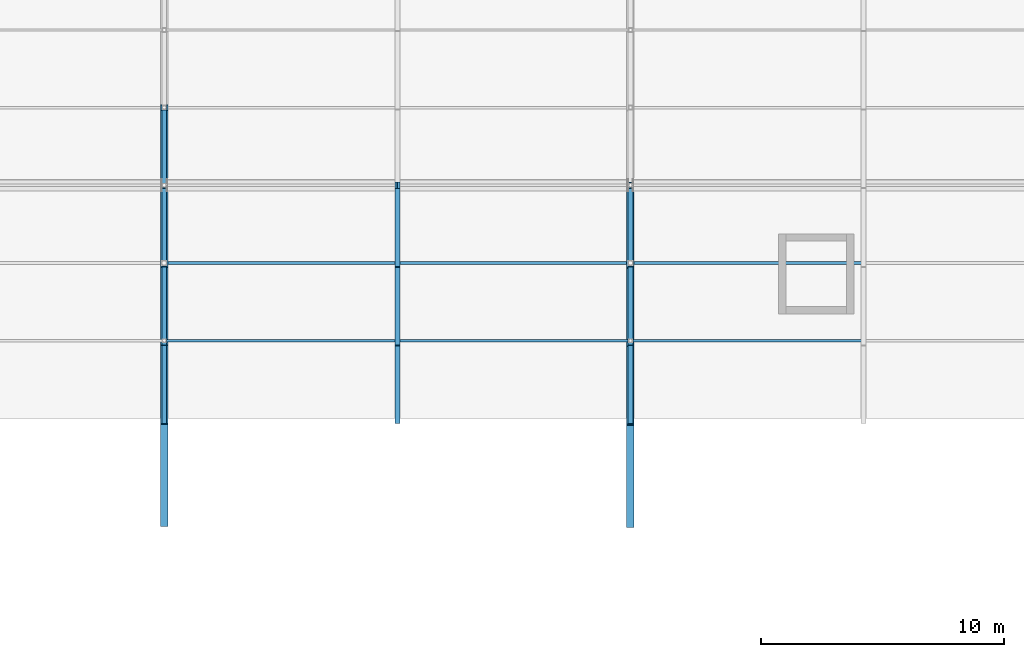
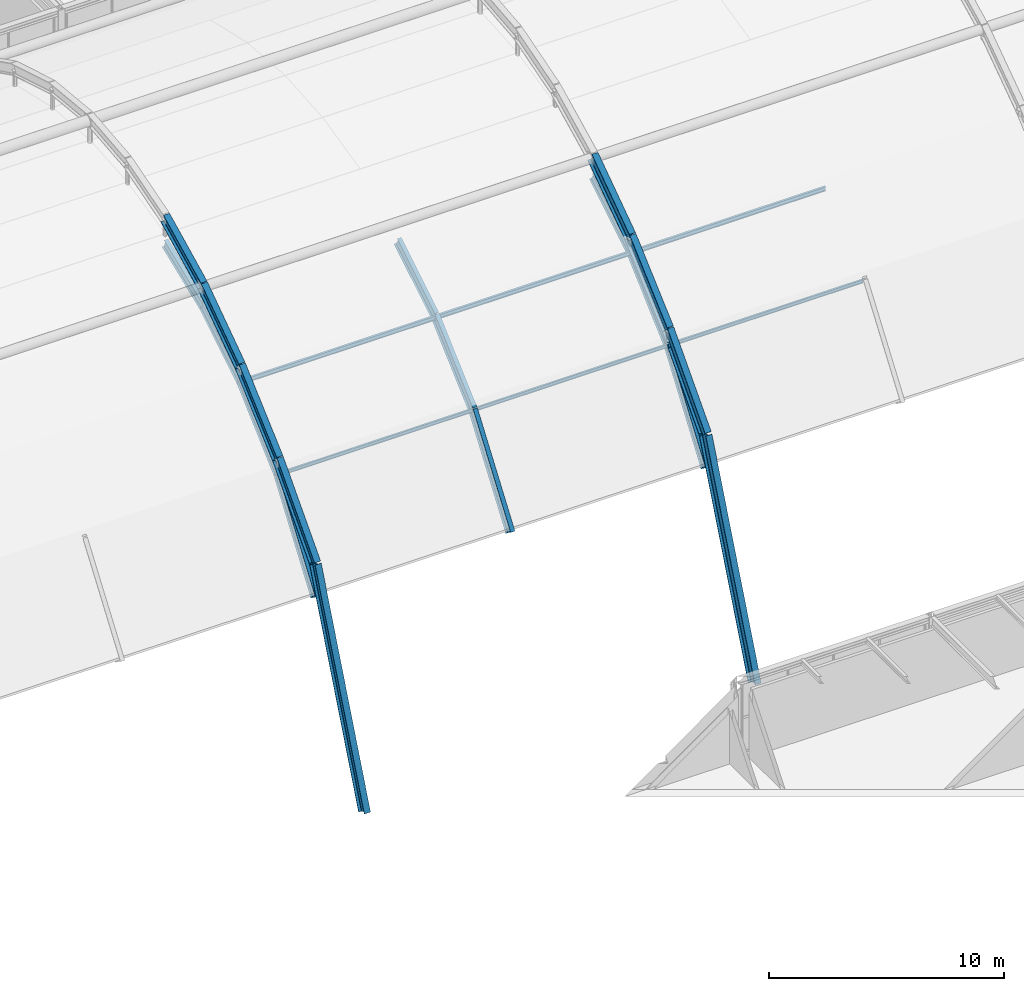
# One storey, part 55 of 126: 19 beams, 6 members.
"""IFC4 building model written with IfcOpenShell, lengths in metres."""

from ifc_helpers import new_model, si_unit, direction, frame, origin, origin_2d, place, context, subcontext, project, spatial, i_section, extrude, material, material_profile, profile_set, type_object, element, save


model = new_model("IFC4")

# Units and contexts
model_context = context("Model", 3, precision=1e-05, world=origin(), true_north=direction((0.0, 1.0)))
body_context = subcontext(model_context, "Body", "Model", "MODEL_VIEW")
ifc_project = project(units=[si_unit("LENGTHUNIT", "METRE"), si_unit("AREAUNIT", "SQUARE_METRE"), si_unit("VOLUMEUNIT", "CUBIC_METRE"), si_unit("PLANEANGLEUNIT", "RADIAN"), si_unit("MASSUNIT", "GRAM", prefix="KILO")], contexts=[model_context])

# Site, building, storey
site_placement = place(None, origin())
site = spatial("IfcSite", under=ifc_project, at=site_placement, CompositionType="ELEMENT")
building_placement = place(site_placement, origin())
building = spatial("IfcBuilding", under=site, at=building_placement, Name="Coralgate Yard Interchange", CompositionType="ELEMENT")
storey_placement = place(building_placement, frame((0.0, 0.0, 10.5)))
storey = spatial("IfcBuildingStorey", under=building, at=storey_placement, Name="L02", CompositionType="ELEMENT", Elevation=10.5)

# Beams
ifc_material_1 = material(Name="Yellow-ochre weather-coated structural steel S355J2", Category="steel")
ifc_material_profile_1 = material_profile(ifc_material_1, i_section(OverallWidth=0.300048828125, OverallDepth=0.64990234375, WebThickness=0.01611328125, FlangeThickness=0.031005859375, FilletRadius=0.027099609375, at=origin_2d()), Name="HEB 650")
ifc_profile_set_1 = profile_set([ifc_material_profile_1], Name="Yellow-ochre weather-coated structural steel S355J2")
beam_type_1 = type_object("IfcBeamType", Name="BM-AR-1", PredefinedType="BEAM", material=ifc_profile_set_1)
beam_1_placement = place(storey_placement, frame((86.39990234375, 34.199951171875, -8.699951171875), z_axis=(0.0, 0.374462329793, 0.927242127799), x_axis=(-1.0, 0.0, 0.0)))
element("IfcBeam", 1, at=beam_1_placement, inside=storey, type_object=beam_type_1, Name="Yellow-ochre overarching steel arch AR-3 chord 1", PredefinedType="BEAM", context=body_context, shape_type="SweptSolid", body=[
    extrude(i_section(OverallWidth=0.300048828125, OverallDepth=0.64990234375, WebThickness=0.01611328125, FlangeThickness=0.031005859375, FilletRadius=0.027099609375, at=origin_2d()), origin(), (0.0, 0.0, 1.0), 11.216064453125),
])
beam_2_placement = place(storey_placement, frame((86.39990234375, 38.39990234375, 1.699951171875), z_axis=(0.0, 0.673332175911, 0.739340098252), x_axis=(-1.0, 0.0, 0.0)))
element("IfcBeam", 2, at=beam_2_placement, inside=storey, type_object=beam_type_1, Name="Yellow-ochre overarching steel arch AR-3 chord 2", PredefinedType="BEAM", context=body_context, shape_type="SweptSolid", body=[
    extrude(i_section(OverallWidth=0.300048828125, OverallDepth=0.64990234375, WebThickness=0.01611328125, FlangeThickness=0.031005859375, FilletRadius=0.027099609375, at=origin_2d()), origin(), (0.0, 0.0, 1.0), 4.752685546875),
])
beam_3_placement = place(storey_placement, frame((86.39990234375, 41.60009765625, 5.2138671875), z_axis=(0.0, 0.74386673808, 0.668327970369), x_axis=(-1.0, 0.0, 0.0)))
element("IfcBeam", 3, at=beam_3_placement, inside=storey, type_object=beam_type_1, Name="Yellow-ochre overarching steel arch AR-3 chord 3", PredefinedType="BEAM", context=body_context, shape_type="SweptSolid", body=[
    extrude(i_section(OverallWidth=0.300048828125, OverallDepth=0.64990234375, WebThickness=0.01611328125, FlangeThickness=0.031005859375, FilletRadius=0.027099609375, at=origin_2d()), origin(), (0.0, 0.0, 1.0), 4.3017578125),
])
beam_4_placement = place(storey_placement, frame((86.39990234375, 44.800048828125, 8.0888671875), z_axis=(0.0, 0.819698802508, 0.572794791498), x_axis=(-1.0, 0.0, 0.0)))
element("IfcBeam", 4, at=beam_4_placement, inside=storey, type_object=beam_type_1, Name="Yellow-ochre overarching steel arch AR-3 chord 4", PredefinedType="BEAM", context=body_context, shape_type="SweptSolid", body=[
    extrude(i_section(OverallWidth=0.300048828125, OverallDepth=0.64990234375, WebThickness=0.01611328125, FlangeThickness=0.031005859375, FilletRadius=0.027099609375, at=origin_2d()), origin(), (0.0, 0.0, 1.0), 3.90380859375),
])
ifc_material_profile_2 = material_profile(ifc_material_1, i_section(OverallWidth=0.300048828125, OverallDepth=0.550048828125, WebThickness=0.014892578125, FlangeThickness=0.029052734375, FilletRadius=0.027099609375, at=origin_2d()), Name="HEB 550")
ifc_profile_set_2 = profile_set([ifc_material_profile_2], Name="Yellow-ochre weather-coated structural steel S355J2")
beam_type_2 = type_object("IfcBeamType", Name="BM-AR-2", PredefinedType="BEAM", material=ifc_profile_set_2)
beam_5_placement = place(storey_placement, frame((67.199951171875, 34.199951171875, -8.699951171875), z_axis=(0.0, 0.374462329793, 0.927242127799), x_axis=(-1.0, 0.0, 0.0)))
element("IfcBeam", 5, at=beam_5_placement, inside=storey, type_object=beam_type_2, Name="Yellow-ochre overarching steel arch AR-2 chord 1", PredefinedType="BEAM", context=body_context, shape_type="SweptSolid", body=[
    extrude(i_section(OverallWidth=0.300048828125, OverallDepth=0.550048828125, WebThickness=0.014892578125, FlangeThickness=0.029052734375, FilletRadius=0.027099609375, at=origin_2d()), origin(), (0.0, 0.0, 1.0), 11.216064453125),
])
beam_6_placement = place(storey_placement, frame((67.199951171875, 38.39990234375, 1.699951171875), z_axis=(0.0, 0.673332175911, 0.739340098252), x_axis=(-1.0, 0.0, 0.0)))
element("IfcBeam", 6, at=beam_6_placement, inside=storey, type_object=beam_type_2, Name="Yellow-ochre overarching steel arch AR-2 chord 2", PredefinedType="BEAM", context=body_context, shape_type="SweptSolid", body=[
    extrude(i_section(OverallWidth=0.300048828125, OverallDepth=0.550048828125, WebThickness=0.014892578125, FlangeThickness=0.029052734375, FilletRadius=0.027099609375, at=origin_2d()), origin(), (0.0, 0.0, 1.0), 4.752685546875),
])
beam_7_placement = place(storey_placement, frame((67.199951171875, 41.60009765625, 5.2138671875), z_axis=(0.0, 0.74386673808, 0.668327970369), x_axis=(-1.0, 0.0, 0.0)))
element("IfcBeam", 7, at=beam_7_placement, inside=storey, type_object=beam_type_2, Name="Yellow-ochre overarching steel arch AR-2 chord 3", PredefinedType="BEAM", context=body_context, shape_type="SweptSolid", body=[
    extrude(i_section(OverallWidth=0.300048828125, OverallDepth=0.550048828125, WebThickness=0.014892578125, FlangeThickness=0.029052734375, FilletRadius=0.027099609375, at=origin_2d()), origin(), (0.0, 0.0, 1.0), 4.3017578125),
])
beam_8_placement = place(storey_placement, frame((67.199951171875, 44.800048828125, 8.0888671875), z_axis=(0.0, 0.819698802508, 0.572794791498), x_axis=(-1.0, 0.0, 0.0)))
element("IfcBeam", 8, at=beam_8_placement, inside=storey, type_object=beam_type_2, Name="Yellow-ochre overarching steel arch AR-2 chord 4", PredefinedType="BEAM", context=body_context, shape_type="SweptSolid", body=[
    extrude(i_section(OverallWidth=0.300048828125, OverallDepth=0.550048828125, WebThickness=0.014892578125, FlangeThickness=0.029052734375, FilletRadius=0.027099609375, at=origin_2d()), origin(), (0.0, 0.0, 1.0), 3.90380859375),
])
beam_9_placement = place(storey_placement, frame((67.199951171875, 48.0, 10.324951171875), z_axis=(0.0, 0.894740986573, 0.446585453129), x_axis=(-1.0, 0.0, 0.0)))
element("IfcBeam", 9, at=beam_9_placement, inside=storey, type_object=beam_type_2, Name="Yellow-ochre overarching steel arch AR-2 chord 5", PredefinedType="BEAM", context=body_context, shape_type="SweptSolid", body=[
    extrude(i_section(OverallWidth=0.300048828125, OverallDepth=0.550048828125, WebThickness=0.014892578125, FlangeThickness=0.029052734375, FilletRadius=0.027099609375, at=origin_2d()), origin(), (0.0, 0.0, 1.0), 3.576416015625),
])
ifc_material_2 = material(Name="Weather-coated structural steel S355J2", Category="steel")
ifc_material_profile_3 = material_profile(ifc_material_2, i_section(OverallWidth=0.209228515625, OverallDepth=0.533203125, WebThickness=0.010009765625, FlangeThickness=0.015625, FilletRadius=0.0126953125, at=origin_2d()), Name="UB 533x210x92")
ifc_profile_set_3 = profile_set([ifc_material_profile_3], Name="Weather-coated structural steel S355J2")
beam_type_3 = type_object("IfcBeamType", Name="BM-VR-1", PredefinedType="BEAM", material=ifc_profile_set_3)
beam_10_placement = place(storey_placement, frame((76.800048828125, 38.39990234375, -0.053466796875), z_axis=(0.0, 0.58185107692, 0.813295348743), x_axis=(-1.0, 0.0, 0.0)))
element("IfcBeam", 10, at=beam_10_placement, inside=storey, type_object=beam_type_3, Name="Barrel-vault gridshell rib 5 seg 1", PredefinedType="BEAM", context=body_context, shape_type="SweptSolid", body=[
    extrude(i_section(OverallWidth=0.209228515625, OverallDepth=0.533203125, WebThickness=0.010009765625, FlangeThickness=0.015625, FilletRadius=0.0126953125, at=origin_2d()), origin(), (0.0, 0.0, 1.0), 5.5),
])
beam_11_placement = place(storey_placement, frame((76.800048828125, 41.60009765625, 4.419677734375), z_axis=(0.0, 0.739475275209, 0.673183717387), x_axis=(-1.0, 0.0, 0.0)))
element("IfcBeam", 11, at=beam_11_placement, inside=storey, type_object=beam_type_3, Name="Barrel-vault gridshell rib 5 seg 2", PredefinedType="BEAM", context=body_context, shape_type="SweptSolid", body=[
    extrude(i_section(OverallWidth=0.209228515625, OverallDepth=0.533203125, WebThickness=0.010009765625, FlangeThickness=0.015625, FilletRadius=0.0126953125, at=origin_2d()), origin(), (0.0, 0.0, 1.0), 4.327392578125),
])
beam_12_placement = place(storey_placement, frame((76.800048828125, 44.800048828125, 7.332763671875), z_axis=(0.0, 0.852378727212, 0.522924951973), x_axis=(-1.0, 0.0, 0.0)))
element("IfcBeam", 12, at=beam_12_placement, inside=storey, type_object=beam_type_3, Name="Barrel-vault gridshell rib 5 seg 3", PredefinedType="BEAM", context=body_context, shape_type="SweptSolid", body=[
    extrude(i_section(OverallWidth=0.209228515625, OverallDepth=0.533203125, WebThickness=0.010009765625, FlangeThickness=0.015625, FilletRadius=0.0126953125, at=origin_2d()), origin(), (0.0, 0.0, 1.0), 3.754150390625),
])
ifc_material_profile_4 = material_profile(ifc_material_2, i_section(OverallWidth=0.199951171875, OverallDepth=0.5, WebThickness=0.01025390625, FlangeThickness=0.01611328125, FilletRadius=0.02099609375, at=origin_2d()), Name="IPE 500")
ifc_profile_set_4 = profile_set([ifc_material_profile_4], Name="Weather-coated structural steel S355J2")
beam_type_4 = type_object("IfcBeamType", Name="BM-VR-2", PredefinedType="BEAM", material=ifc_profile_set_4)
beam_13_placement = place(storey_placement, frame((67.199951171875, 38.39990234375, -0.070068359375), z_axis=(0.0, 0.579004732824, 0.815324180536), x_axis=(-1.0, 0.0, 0.0)))
element("IfcBeam", 13, at=beam_13_placement, inside=storey, type_object=beam_type_4, Name="Barrel-vault gridshell rib 4 seg 1", PredefinedType="BEAM", context=body_context, shape_type="SweptSolid", body=[
    extrude(i_section(OverallWidth=0.199951171875, OverallDepth=0.5, WebThickness=0.01025390625, FlangeThickness=0.01611328125, FilletRadius=0.02099609375, at=origin_2d()), origin(), (0.0, 0.0, 1.0), 5.527099609375),
])
beam_14_placement = place(storey_placement, frame((67.199951171875, 41.60009765625, 4.436279296875), z_axis=(0.0, 0.739475275209, 0.673183717387), x_axis=(-1.0, 0.0, 0.0)))
element("IfcBeam", 14, at=beam_14_placement, inside=storey, type_object=beam_type_4, Name="Barrel-vault gridshell rib 4 seg 2", PredefinedType="BEAM", context=body_context, shape_type="SweptSolid", body=[
    extrude(i_section(OverallWidth=0.199951171875, OverallDepth=0.5, WebThickness=0.01025390625, FlangeThickness=0.01611328125, FilletRadius=0.02099609375, at=origin_2d()), origin(), (0.0, 0.0, 1.0), 4.327392578125),
])
beam_15_placement = place(storey_placement, frame((67.199951171875, 44.800048828125, 7.349365234375), z_axis=(0.0, 0.852378727212, 0.522924951973), x_axis=(-1.0, 0.0, 0.0)))
element("IfcBeam", 15, at=beam_15_placement, inside=storey, type_object=beam_type_4, Name="Barrel-vault gridshell rib 4 seg 3", PredefinedType="BEAM", context=body_context, shape_type="SweptSolid", body=[
    extrude(i_section(OverallWidth=0.199951171875, OverallDepth=0.5, WebThickness=0.01025390625, FlangeThickness=0.01611328125, FilletRadius=0.02099609375, at=origin_2d()), origin(), (0.0, 0.0, 1.0), 3.754150390625),
])
beam_16_placement = place(storey_placement, frame((67.199951171875, 48.0, 9.3125), z_axis=(0.0, 0.927713244188, 0.373293633161), x_axis=(-1.0, 0.0, 0.0)))
element("IfcBeam", 16, at=beam_16_placement, inside=storey, type_object=beam_type_4, Name="Barrel-vault gridshell rib 4 seg 4", PredefinedType="BEAM", context=body_context, shape_type="SweptSolid", body=[
    extrude(i_section(OverallWidth=0.199951171875, OverallDepth=0.5, WebThickness=0.01025390625, FlangeThickness=0.01611328125, FilletRadius=0.02099609375, at=origin_2d()), origin(), (0.0, 0.0, 1.0), 3.44921875),
])
beam_17_placement = place(storey_placement, frame((86.39990234375, 38.39990234375, -0.070068359375), z_axis=(0.0, 0.579004732824, 0.815324180536), x_axis=(-1.0, 0.0, 0.0)))
element("IfcBeam", 17, at=beam_17_placement, inside=storey, type_object=beam_type_4, Name="Barrel-vault gridshell rib 6 seg 1", PredefinedType="BEAM", context=body_context, shape_type="SweptSolid", body=[
    extrude(i_section(OverallWidth=0.199951171875, OverallDepth=0.5, WebThickness=0.01025390625, FlangeThickness=0.01611328125, FilletRadius=0.02099609375, at=origin_2d()), origin(), (0.0, 0.0, 1.0), 5.527099609375),
])
beam_18_placement = place(storey_placement, frame((86.39990234375, 41.60009765625, 4.436279296875), z_axis=(0.0, 0.739475275209, 0.673183717387), x_axis=(-1.0, 0.0, 0.0)))
element("IfcBeam", 18, at=beam_18_placement, inside=storey, type_object=beam_type_4, Name="Barrel-vault gridshell rib 6 seg 2", PredefinedType="BEAM", context=body_context, shape_type="SweptSolid", body=[
    extrude(i_section(OverallWidth=0.199951171875, OverallDepth=0.5, WebThickness=0.01025390625, FlangeThickness=0.01611328125, FilletRadius=0.02099609375, at=origin_2d()), origin(), (0.0, 0.0, 1.0), 4.327392578125),
])
beam_19_placement = place(storey_placement, frame((86.39990234375, 44.800048828125, 7.349365234375), z_axis=(0.0, 0.852378727212, 0.522924951973), x_axis=(-1.0, 0.0, 0.0)))
element("IfcBeam", 19, at=beam_19_placement, inside=storey, type_object=beam_type_4, Name="Barrel-vault gridshell rib 6 seg 3", PredefinedType="BEAM", context=body_context, shape_type="SweptSolid", body=[
    extrude(i_section(OverallWidth=0.199951171875, OverallDepth=0.5, WebThickness=0.01025390625, FlangeThickness=0.01611328125, FilletRadius=0.02099609375, at=origin_2d()), origin(), (0.0, 0.0, 1.0), 3.754150390625),
])

# Members
ifc_material_profile_5 = material_profile(ifc_material_2, i_section(OverallWidth=0.110107421875, OverallDepth=0.219970703125, WebThickness=0.005859375, FlangeThickness=0.00927734375, FilletRadius=0.011962890625, at=origin_2d()), Name="IPE 220")
ifc_profile_set_5 = profile_set([ifc_material_profile_5], Name="Weather-coated structural steel S355J2")
member_type_1 = type_object("IfcMemberType", Name="MB-PR-1", PredefinedType="PURLIN", material=ifc_profile_set_5)
member_1_placement = place(storey_placement, frame((67.201904296875, 44.800048828125, 7.2392578125), z_axis=(1.0, 0.0, 0.0), x_axis=(0.0, 1.0, 0.0)))
element("IfcMember", 20, at=member_1_placement, inside=storey, type_object=member_type_1, Name="Barrel-vault gridshell purlin 4-3", PredefinedType="PURLIN", context=body_context, shape_type="SweptSolid", body=[
    extrude(i_section(OverallWidth=0.110107421875, OverallDepth=0.219970703125, WebThickness=0.005859375, FlangeThickness=0.00927734375, FilletRadius=0.011962890625, at=origin_2d()), origin(), (0.0, 0.0, 1.0), 9.59619140625),
])
for number, where, z_axis, x_axis, name in (
    (21, (76.802001953125, 44.800048828125, 7.2392578125), (1.0, 0.0, 0.0), (0.0, 1.0, 0.0), "Barrel-vault gridshell purlin 5-3"),
    (22, (86.402099609375, 44.800048828125, 7.2392578125), (1.0, 0.0, 0.0), (0.0, 1.0, 0.0), "Barrel-vault gridshell purlin 6-3"),
):
    element("IfcMember", number, at=place(storey_placement, frame(where, z_axis=z_axis, x_axis=x_axis)), inside=storey, type_object=member_type_1, Name=name, PredefinedType="PURLIN", context=body_context, shape_type="SweptSolid", body=[
        extrude(i_section(OverallWidth=0.110107421875, OverallDepth=0.219970703125, WebThickness=0.005859375, FlangeThickness=0.00927734375, FilletRadius=0.011962890625, at=origin_2d()), origin(), (0.0, 0.0, 1.0), 9.595947265625),
    ])
ifc_material_3 = material(Name="Off-white architectural structural steel S355J2", Category="steel")
ifc_material_profile_6 = material_profile(ifc_material_3, i_section(OverallWidth=0.091064453125, OverallDepth=0.179931640625, WebThickness=0.00537109375, FlangeThickness=0.008056640625, FilletRadius=0.009033203125, at=origin_2d()), Name="IPE 180")
ifc_profile_set_6 = profile_set([ifc_material_profile_6], Name="Off-white architectural structural steel S355J2")
member_type_2 = type_object("IfcMemberType", Name="MB-PR-2", PredefinedType="PURLIN", material=ifc_profile_set_6)
member_2_placement = place(storey_placement, frame((67.201904296875, 41.60009765625, 4.3662109375), z_axis=(1.0, 0.0, 0.0), x_axis=(0.0, 1.0, 0.0)))
element("IfcMember", 23, at=member_2_placement, inside=storey, type_object=member_type_2, Name="Barrel-vault gridshell purlin 4-2", PredefinedType="PURLIN", context=body_context, shape_type="SweptSolid", body=[
    extrude(i_section(OverallWidth=0.091064453125, OverallDepth=0.179931640625, WebThickness=0.00537109375, FlangeThickness=0.008056640625, FilletRadius=0.009033203125, at=origin_2d()), origin(), (0.0, 0.0, 1.0), 9.59619140625),
])
for number, where, z_axis, x_axis, name in (
    (24, (76.802001953125, 41.60009765625, 4.3662109375), (1.0, 0.0, 0.0), (0.0, 1.0, 0.0), "Barrel-vault gridshell purlin 5-2"),
    (25, (86.402099609375, 41.60009765625, 4.3662109375), (1.0, 0.0, 0.0), (0.0, 1.0, 0.0), "Barrel-vault gridshell purlin 6-2"),
):
    element("IfcMember", number, at=place(storey_placement, frame(where, z_axis=z_axis, x_axis=x_axis)), inside=storey, type_object=member_type_2, Name=name, PredefinedType="PURLIN", context=body_context, shape_type="SweptSolid", body=[
        extrude(i_section(OverallWidth=0.091064453125, OverallDepth=0.179931640625, WebThickness=0.00537109375, FlangeThickness=0.008056640625, FilletRadius=0.009033203125, at=origin_2d()), origin(), (0.0, 0.0, 1.0), 9.595947265625),
    ])

save(model, "model.ifc")
